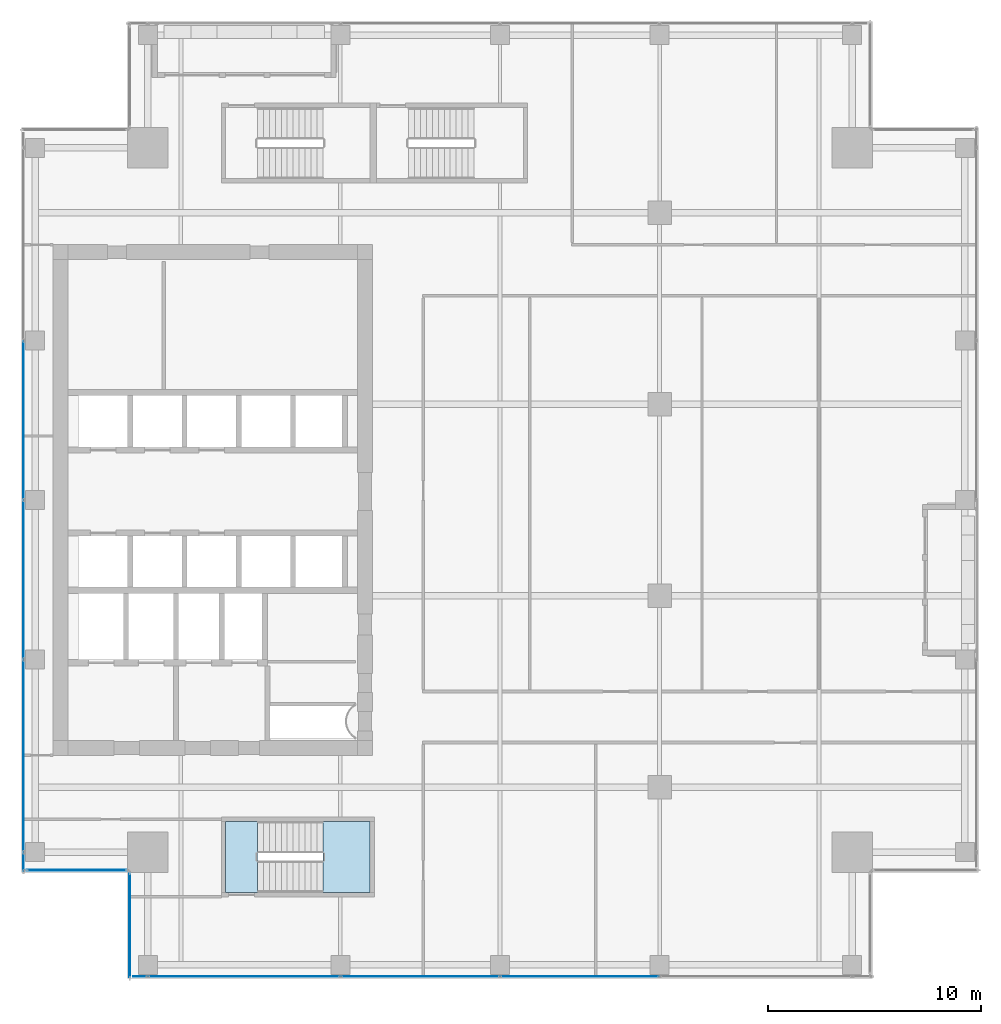
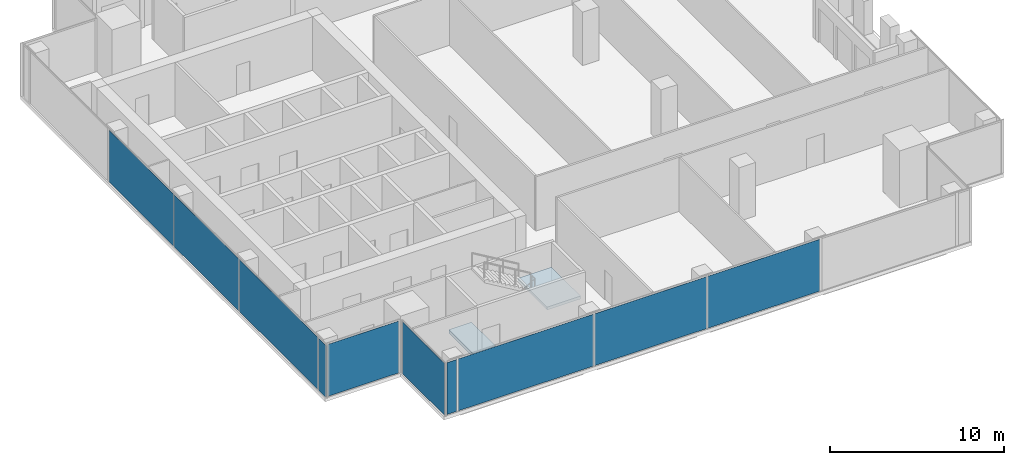
# One storey, part 25 of 35: 10 plates, 2 slabs, 5 elements without a shape of their own.
"""IFC4 building model written with IfcOpenShell, lengths in metres."""

from ifc_helpers import new_model, si_unit, direction, frame, origin, origin_2d, place, context, subcontext, project, spatial, polyline, rectangle, outline, extrude, source, transform, mapped, material, layer, layer_set, type_object, element, aggregate, save


model = new_model("IFC4")

# Units and contexts
model_context = context("Model", 3, precision=1e-05, world=origin(), true_north=direction((0.0, 1.0)))
body_context = subcontext(model_context, "Body", "Model", "MODEL_VIEW")
ifc_project = project(units=[si_unit("LENGTHUNIT", "METRE"), si_unit("AREAUNIT", "SQUARE_METRE"), si_unit("VOLUMEUNIT", "CUBIC_METRE"), si_unit("PLANEANGLEUNIT", "RADIAN"), si_unit("MASSUNIT", "GRAM", prefix="KILO")], contexts=[model_context])

# Site, building, storey
site_placement = place(None, origin())
site = spatial("IfcSite", under=ifc_project, at=site_placement, CompositionType="ELEMENT")
building_placement = place(site_placement, origin())
building = spatial("IfcBuilding", under=site, at=building_placement, Name="Khomas Fold Tower", CompositionType="ELEMENT")
storey_placement = place(building_placement, frame((0.0, 0.0, 262.199951171875)))
storey = spatial("IfcBuildingStorey", under=building, at=storey_placement, Name="L59", CompositionType="ELEMENT", Elevation=262.199951171875)

# Curtain wall, plates
ifc_material_1 = material(Name="Aluminium framed double glazing", Category="aluminium")
curtain_wall_type = type_object("IfcCurtainWallType", Name="SK-Unitised clear-glass wall, office floors CW2", PredefinedType="NOTDEFINED", material=ifc_material_1)
curtain_wall_1_placement = place(storey_placement, origin())
curtain_wall_1 = element("IfcCurtainWall", 1, at=curtain_wall_1_placement, inside=storey, type_object=curtain_wall_type, Name="CW2 run L59 00-0", PredefinedType="NOTDEFINED")
ifc_material_2 = material(Name="Clear double glazed unit")
ifc_layer_1 = layer(ifc_material_2, 0.030029296875)
ifc_layer_set_1 = layer_set([ifc_layer_1], Name="Clear double glazed unit")
plate_type = type_object("IfcPlateType", Name="SK-Unitised clear-glass wall, office floors glass panel CW2-P", PredefinedType="CURTAIN_PANEL", material=ifc_layer_set_1)
shared_shape_1 = source(origin(), body_context, "Body", "SweptSolid", [
    extrude(rectangle(XDim=0.659912109375, YDim=0.030029296875, at=origin_2d()), origin(), (0.0, 0.0, 1.0), 3.639892578125),
])
plate_1_placement = place(storey_placement, frame((10.090087890625, 4.60009765625, 0.0), z_axis=(0.0, 0.0, 1.0), x_axis=(1.0, 0.0, 0.0)))
plate_1 = element("IfcPlate", 2, at=plate_1_placement, type_object=plate_type, Name="CW2 glass panel 1", PredefinedType="CURTAIN_PANEL", context=body_context, shape_type="MappedRepresentation", body=[
    mapped(shared_shape_1, transform((0.0, 0.0, 0.0))),
])
shared_shape_2 = source(origin(), body_context, "Body", "SweptSolid", [
    extrude(rectangle(XDim=7.43994140625, YDim=0.030029296875, at=origin_2d()), origin(), (0.0, 0.0, 1.0), 3.639892578125),
])
plate_2_placement = place(storey_placement, frame((23.25, 4.60009765625, 0.0), z_axis=(0.0, 0.0, 1.0), x_axis=(1.0, 0.0, 0.0)))
plate_2 = element("IfcPlate", 3, at=plate_2_placement, type_object=plate_type, Name="CW2 glass panel 3", PredefinedType="CURTAIN_PANEL", context=body_context, shape_type="MappedRepresentation", body=[
    mapped(shared_shape_2, transform((0.0, 0.0, 0.0))),
])
plate_3_placement = place(storey_placement, frame((30.75, 4.60009765625, 0.0), z_axis=(0.0, 0.0, 1.0), x_axis=(1.0, 0.0, 0.0)))
plate_3 = element("IfcPlate", 4, at=plate_3_placement, type_object=plate_type, Name="CW2 glass panel 4", PredefinedType="CURTAIN_PANEL", context=body_context, shape_type="MappedRepresentation", body=[
    mapped(shared_shape_2, transform((0.0, 0.0, 0.0))),
])

curtain_wall_2_placement = place(storey_placement, origin())
curtain_wall_2 = element("IfcCurtainWall", 5, at=curtain_wall_2_placement, inside=storey, type_object=curtain_wall_type, Name="CW2 run L59 09-0", PredefinedType="NOTDEFINED")
plate_4_placement = place(storey_placement, frame((4.60009765625, 30.75, 0.0), z_axis=(0.0, 0.0, 1.0), x_axis=(0.0, -1.0, 0.0)))
plate_4 = element("IfcPlate", 6, at=plate_4_placement, type_object=plate_type, Name="CW2 glass panel 3", PredefinedType="CURTAIN_PANEL", context=body_context, shape_type="MappedRepresentation", body=[
    mapped(shared_shape_2, transform((0.0, 0.0, 0.0))),
])
plate_5_placement = place(storey_placement, frame((4.60009765625, 23.25, 0.0), z_axis=(0.0, 0.0, 1.0), x_axis=(0.0, -1.0, 0.0)))
plate_5 = element("IfcPlate", 7, at=plate_5_placement, type_object=plate_type, Name="CW2 glass panel 4", PredefinedType="CURTAIN_PANEL", context=body_context, shape_type="MappedRepresentation", body=[
    mapped(shared_shape_2, transform((0.0, 0.0, 0.0))),
])
shared_shape_3 = source(origin(), body_context, "Body", "SweptSolid", [
    extrude(rectangle(XDim=0.860107421875, YDim=0.030029296875, at=origin_2d()), origin(), (0.0, 0.0, 1.0), 3.639892578125),
])
plate_6_placement = place(storey_placement, frame((4.60009765625, 9.989990234375, 0.0), z_axis=(0.0, 0.0, 1.0), x_axis=(0.0, -1.0, 0.0)))
plate_6 = element("IfcPlate", 8, at=plate_6_placement, type_object=plate_type, Name="CW2 glass panel 6", PredefinedType="CURTAIN_PANEL", context=body_context, shape_type="MappedRepresentation", body=[
    mapped(shared_shape_3, transform((0.0, 0.0, 0.0))),
])

# Plate
shared_shape_4 = source(origin(), body_context, "Body", "SweptSolid", [
    extrude(rectangle(XDim=8.989990234375, YDim=0.030029296875, at=origin_2d()), origin(), (0.0, 0.0, 1.0), 3.639892578125),
])
plate_7_placement = place(storey_placement, frame((14.97509765625, 4.60009765625, 0.0), z_axis=(0.0, 0.0, 1.0), x_axis=(1.0, 0.0, 0.0)))
plate_7 = element("IfcPlate", 9, at=plate_7_placement, type_object=plate_type, Name="CW2 glass panel 2", PredefinedType="CURTAIN_PANEL", context=body_context, shape_type="MappedRepresentation", body=[
    mapped(shared_shape_4, transform((0.0, 0.0, 0.0))),
])

aggregate(curtain_wall_1, [plate_1, plate_7, plate_2, plate_3])

plate_8_placement = place(storey_placement, frame((4.60009765625, 14.97509765625, 0.0), z_axis=(0.0, 0.0, 1.0), x_axis=(0.0, -1.0, 0.0)))
plate_8 = element("IfcPlate", 10, at=plate_8_placement, type_object=plate_type, Name="CW2 glass panel 5", PredefinedType="CURTAIN_PANEL", context=body_context, shape_type="MappedRepresentation", body=[
    mapped(shared_shape_4, transform((0.0, 0.0, 0.0))),
])

aggregate(curtain_wall_2, [plate_4, plate_5, plate_8, plate_6])

# Curtain wall, plate
curtain_wall_3_placement = place(storey_placement, origin())
curtain_wall_3 = element("IfcCurtainWall", 11, at=curtain_wall_3_placement, inside=storey, type_object=curtain_wall_type, Name="CW2 corner return L59 10", PredefinedType="NOTDEFINED")
shared_shape_5 = source(origin(), body_context, "Body", "SweptSolid", [
    extrude(rectangle(XDim=4.679931640625, YDim=0.030029296875, at=origin_2d()), origin(), (0.0, 0.0, 1.0), 3.639892578125),
])
plate_9_placement = place(storey_placement, frame((7.10009765625, 9.60009765625, 0.0), z_axis=(0.0, 0.0, 1.0), x_axis=(1.0, 0.0, 0.0)))
plate_9 = element("IfcPlate", 12, at=plate_9_placement, type_object=plate_type, Name="CW2 glass panel 1", PredefinedType="CURTAIN_PANEL", context=body_context, shape_type="MappedRepresentation", body=[
    mapped(shared_shape_5, transform((0.0, 0.0, 0.0))),
])
aggregate(curtain_wall_3, [plate_9])

curtain_wall_4_placement = place(storey_placement, origin())
curtain_wall_4 = element("IfcCurtainWall", 13, at=curtain_wall_4_placement, inside=storey, type_object=curtain_wall_type, Name="CW2 corner return L59 11", PredefinedType="NOTDEFINED")
shared_shape_6 = source(origin(), body_context, "Body", "SweptSolid", [
    extrude(rectangle(XDim=4.8798828125, YDim=0.030029296875, at=origin_2d()), origin(), (0.0, 0.0, 1.0), 3.639892578125),
])
plate_10_placement = place(storey_placement, frame((9.60009765625, 7.0, 0.0), z_axis=(0.0, 0.0, 1.0), x_axis=(0.0, -1.0, 0.0)))
plate_10 = element("IfcPlate", 14, at=plate_10_placement, type_object=plate_type, Name="CW2 glass panel 1", PredefinedType="CURTAIN_PANEL", context=body_context, shape_type="MappedRepresentation", body=[
    mapped(shared_shape_6, transform((0.0, 0.0, 0.0))),
])
aggregate(curtain_wall_4, [plate_10])

# Stair, slab
ifc_material_3 = material(Name="Concrete C40/50", Category="concrete")
stair_type = type_object("IfcStairType", Name="Stair ST2", PredefinedType="HALF_TURN_STAIR", material=ifc_material_3)
stair_placement = place(storey_placement, origin())
stair = element("IfcStair", 15, at=stair_placement, inside=storey, type_object=stair_type, Name="L59 ST2", PredefinedType="HALF_TURN_STAIR")
ifc_material_4 = material(Name="Concrete C40/50", Category="concrete")
ifc_layer_2 = layer(ifc_material_4, 0.199951171875)
ifc_layer_set_2 = layer_set([ifc_layer_2], Name="Concrete C40/50")
slab_type_1 = type_object("IfcSlabType", Name="Stair landing 200", PredefinedType="LANDING", material=ifc_layer_set_2)
shared_shape_7 = source(origin(), body_context, "Body", "SweptSolid", [
    extrude(outline(polyline([(18.679931640625, 8.550048828125), (20.89990234375, 8.550048828125), (20.89990234375, 11.89990234375), (18.679931640625, 11.89990234375), (18.679931640625, 8.550048828125)])), origin(), (0.0, 0.0, 1.0), 0.199951171875),
])
slab_1_placement = place(storey_placement, frame((0.0, 0.0, 1.800048828125)))
slab_1 = element("IfcSlab", 16, at=slab_1_placement, type_object=slab_type_1, Name="ST2 landing 1", PredefinedType="LANDING", context=body_context, shape_type="MappedRepresentation", body=[
    mapped(shared_shape_7, transform((0.0, 0.0, 0.0))),
])
aggregate(stair, [slab_1])

# Slab
ifc_material_5 = material(Name="Concrete C40/50", Category="concrete")
ifc_layer_3 = layer(ifc_material_5, 0.25)
ifc_layer_set_3 = layer_set([ifc_layer_3], Name="Concrete C40/50")
slab_type_2 = type_object("IfcSlabType", Name="Stair floor landing 250", PredefinedType="LANDING", material=ifc_layer_set_3)
shared_shape_8 = source(origin(), body_context, "Body", "SweptSolid", [
    extrude(outline(polyline([(15.60009765625, 8.550048828125), (14.10009765625, 8.550048828125), (14.10009765625, 11.89990234375), (15.60009765625, 11.89990234375), (15.60009765625, 8.550048828125)])), origin(), (0.0, 0.0, 1.0), 0.25),
])
slab_2_placement = place(storey_placement, frame((0.0, 0.0, -0.25)))
element("IfcSlab", 17, at=slab_2_placement, inside=storey, type_object=slab_type_2, Name="ST2 floor landing", PredefinedType="LANDING", context=body_context, shape_type="MappedRepresentation", body=[
    mapped(shared_shape_8, transform((0.0, 0.0, 0.0))),
])

save(model, "model.ifc")
